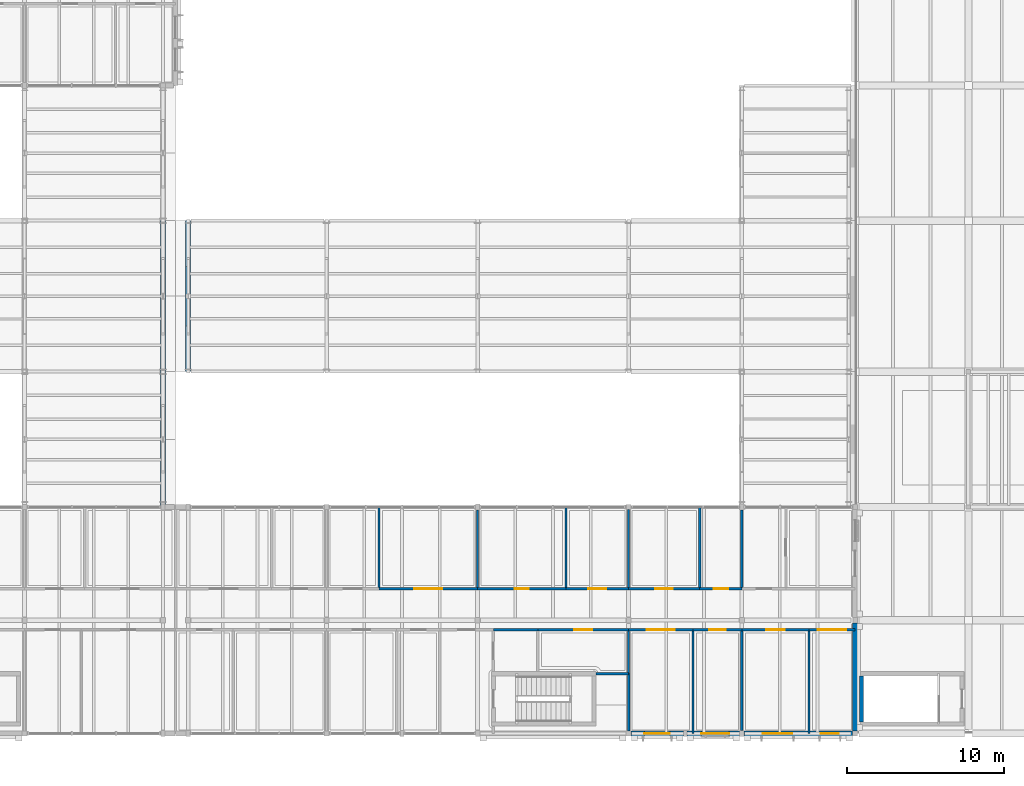
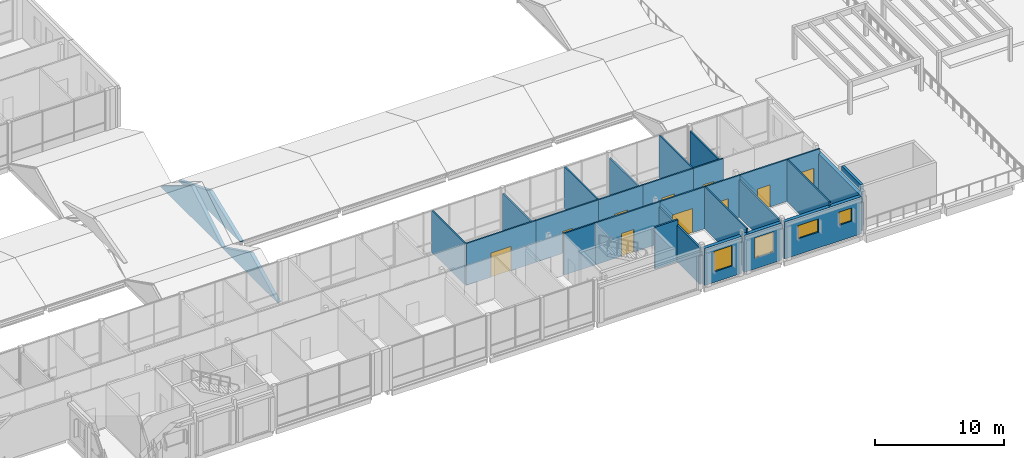
# One storey, part 90 of 115: 31 walls, 10 doors, 4 windows, 14 openings.
"""IFC4 building model written with IfcOpenShell, lengths in metres."""

import ifcopenshell
import ifcopenshell.guid

model = None  # the IFC model being written
_history = None  # IfcOwnerHistory: only IFC2X3 demands one
_inside = {}  # id of a spatial element -> (the spatial element, [elements in it])
_under = {}  # id of a project, library or spatial element -> (it, [spatial elements below it])
_declared = {}  # id of a project -> (the project, [libraries it declares])
_typed = {}  # id of a type object -> (the type object, [elements of that type])
_made_of = {}  # id of a material, layer set ... -> (it, [elements and type objects made of it])


def new_model(schema):
    """Start an empty IFC model of exactly this schema.

    Asked for "IFC4X3", IfcOpenShell would pick the latest addendum, in which some entities
    have other attributes; the version numbers below select the first issue.
    IFC2X3 requires an IfcOwnerHistory on every rooted entity: one is made here for all.
    """
    global model, _history
    if schema == "IFC4X3":
        model = ifcopenshell.file(schema_version=(4, 3, 0, 0))
    else:
        model = ifcopenshell.file(schema=schema)
    _inside.clear()
    _under.clear()
    _declared.clear()
    _typed.clear()
    _made_of.clear()
    _history = None
    if model.schema == "IFC2X3":
        org = make("IfcOrganization", Name="unknown")
        user = make(
            "IfcPersonAndOrganization",
            ThePerson=make("IfcPerson", FamilyName="unknown"),
            TheOrganization=org,
        )
        app = make(
            "IfcApplication",
            ApplicationDeveloper=org,
            Version="unknown",
            ApplicationFullName="unknown",
            ApplicationIdentifier="unknown",
        )
        _history = make(
            "IfcOwnerHistory",
            OwningUser=user,
            OwningApplication=app,
            ChangeAction="ADDED",
            CreationDate=0,
        )
    return model


def make(cls, **values):
    """One entity of the class cls with the attributes given. An attribute that is None is left unset."""
    return model.create_entity(
        cls, **{name: value for name, value in values.items() if value is not None}
    )


def rooted(cls, **values):
    """An entity with a GlobalId (a new one), such as an element, a storey or a relation."""
    return make(cls, GlobalId=ifcopenshell.guid.new(), OwnerHistory=_history, **values)


def si_unit(unit_type, name, prefix=None):
    """IfcSIUnit, for example si_unit("LENGTHUNIT", "METRE", prefix="MILLI")."""
    return make("IfcSIUnit", UnitType=unit_type, Prefix=prefix, Name=name)


def assignment(units):
    """IfcUnitAssignment: the units of a project."""
    return None if units is None else make("IfcUnitAssignment", Units=units)


def point(xyz):
    """IfcCartesianPoint."""
    return None if xyz is None else make("IfcCartesianPoint", Coordinates=xyz)


def direction(xyz):
    """IfcDirection."""
    return None if xyz is None else make("IfcDirection", DirectionRatios=xyz)


def frame(location, z_axis=None, x_axis=None):
    """IfcAxis2Placement3D, a coordinate frame: its origin and axes. An axis left out is left unset."""
    return make(
        "IfcAxis2Placement3D",
        Location=point(location),
        Axis=direction(z_axis),
        RefDirection=direction(x_axis),
    )


def frame_2d(location, x_axis=None):
    """IfcAxis2Placement2D, a coordinate frame in the plane: its origin and x axis."""
    return make(
        "IfcAxis2Placement2D", Location=point(location), RefDirection=direction(x_axis)
    )


def origin():
    """The frame at (0, 0, 0) with its axes left unset."""
    return frame((0.0, 0.0, 0.0))


def place(relative_to, where):
    """IfcLocalPlacement: puts the frame where relative to a parent placement (None: the world)."""
    return make(
        "IfcLocalPlacement", PlacementRelTo=relative_to, RelativePlacement=where
    )


def context(
    kind, dimensions, precision=None, world=None, true_north=None, identifier=None
):
    """IfcGeometricRepresentationContext, for example the 3D "Model" context."""
    return make(
        "IfcGeometricRepresentationContext",
        ContextIdentifier=identifier,
        ContextType=kind,
        CoordinateSpaceDimension=dimensions,
        Precision=precision,
        WorldCoordinateSystem=world,
        TrueNorth=true_north,
    )


def subcontext(parent, identifier, kind, view, scale=None):
    """IfcGeometricRepresentationSubContext, for example "Body" below "Model"."""
    return make(
        "IfcGeometricRepresentationSubContext",
        ContextIdentifier=identifier,
        ContextType=kind,
        ParentContext=parent,
        TargetScale=scale,
        TargetView=view,
    )


def project(units=None, contexts=None):
    """IfcProject with its units and contexts."""
    return rooted(
        "IfcProject",
        Name="project",
        RepresentationContexts=contexts,
        UnitsInContext=assignment(units),
    )


def spatial(cls, under=None, at=None, **own):
    """A site, building, storey or space (cls), placed at a placement, below another one or the project."""
    s = rooted(cls, ObjectPlacement=at, **own)
    if under is not None:
        _under.setdefault(under.id(), (under, []))[1].append(s)
    return s


def polyline(points):
    """IfcPolyline through the points."""
    return make("IfcPolyline", Points=[point(p) for p in points])


def profile(cls, at=None, kind="AREA", **sizes):
    """A parametric profile (cls). Its sizes go by their IFC names, for example OverallWidth=200.0."""
    return make(cls, ProfileType=kind, Position=at, **sizes)


def rectangle(**sizes):
    """IfcRectangleProfileDef."""
    return profile("IfcRectangleProfileDef", **sizes)


def outline(outer, holes=None, kind="AREA"):
    """IfcArbitraryClosedProfileDef: a profile drawn as a closed curve; with holes, ...WithVoids."""
    if holes is None:
        return make("IfcArbitraryClosedProfileDef", ProfileType=kind, OuterCurve=outer)
    return make(
        "IfcArbitraryProfileDefWithVoids",
        ProfileType=kind,
        OuterCurve=outer,
        InnerCurves=holes,
    )


def extrude(swept, where, along, depth):
    """IfcExtrudedAreaSolid: the profile swept, set in the frame where, extruded along a direction by depth."""
    return make(
        "IfcExtrudedAreaSolid",
        SweptArea=swept,
        Position=where,
        ExtrudedDirection=direction(along),
        Depth=depth,
    )


def shape(context_of_items, identifier, shape_type, items):
    """IfcShapeRepresentation: the items that make up one representation, for example the "Body"."""
    return make(
        "IfcShapeRepresentation",
        ContextOfItems=context_of_items,
        RepresentationIdentifier=identifier,
        RepresentationType=shape_type,
        Items=items,
    )


def material(Name=None, Category=None):
    """IfcMaterial."""
    return make("IfcMaterial", Name=Name, Category=Category)


def layer(
    of_material, thickness, ventilated=None, Name=None, Category=None, Priority=None
):
    """IfcMaterialLayer: one layer of a wall or slab, of a material (None: an air gap)."""
    return make(
        "IfcMaterialLayer",
        Material=of_material,
        LayerThickness=thickness,
        IsVentilated=ventilated,
        Name=Name,
        Category=Category,
        Priority=Priority,
    )


def layer_set(layers, Name=None):
    """IfcMaterialLayerSet."""
    return make("IfcMaterialLayerSet", MaterialLayers=layers, LayerSetName=Name)


def made_of(thing, what):
    """Note that an element or type object is made of a material, layer set ...; save() writes the relation."""
    if what is not None:
        _made_of.setdefault(what.id(), (what, []))[1].append(thing)
    return thing


def type_object(cls, material=None, **own):
    """A type object (cls), such as IfcWallType, which elements share."""
    return made_of(rooted(cls, **own), material)


def element(
    cls,
    number,
    at=None,
    inside=None,
    cuts=None,
    type_object=None,
    material=None,
    context=None,
    identifier="Body",
    shape_type=None,
    held_by="IfcProductDefinitionShape",
    body=None,
    shapes=None,
    **own,
):
    """One element of the class cls, such as IfcWall. Its Tag is "e" and its number.

    at: its placement. inside: the storey or other place that contains it. cuts: it is an
    opening in that element (IfcRelVoidsElement). A single representation is given by context,
    identifier, shape_type and body (its items); several are given by shapes. held_by: the class
    of the entity that holds the representations. save() writes the other relations.
    """
    e = rooted(cls, Tag="e%d" % number, ObjectPlacement=at, **own)
    if body is not None:
        shapes = [shape(context, identifier, shape_type, body)]
    if shapes is not None:
        e.Representation = make(held_by, Representations=shapes)
    if inside is not None:
        _inside.setdefault(inside.id(), (inside, []))[1].append(e)
    if cuts is not None:
        rooted(
            "IfcRelVoidsElement", RelatingBuildingElement=cuts, RelatedOpeningElement=e
        )
    if type_object is not None:
        _typed.setdefault(type_object.id(), (type_object, []))[1].append(e)
    return made_of(e, material)


def fill(opening, filler):
    """IfcRelFillsElement: the door or window that sits in an opening."""
    return rooted(
        "IfcRelFillsElement",
        RelatingOpeningElement=opening,
        RelatedBuildingElement=filler,
    )


def aggregate(whole, parts):
    """IfcRelAggregates: a whole, such as a stair, and the parts it consists of."""
    return rooted("IfcRelAggregates", RelatingObject=whole, RelatedObjects=parts)


def save(model, path):
    """Write the relations noted so far, then the file.

    IfcRelAggregates (storeys below a building ...), IfcRelContainedInSpatialStructure (elements
    in a storey), IfcRelDefinesByType, IfcRelAssociatesMaterial and IfcRelDeclares: one each for
    every whole, place, type object, material and project.
    """
    for whole, parts in _under.values():
        aggregate(whole, parts)
    for where, things in _inside.values():
        rooted(
            "IfcRelContainedInSpatialStructure",
            RelatedElements=things,
            RelatingStructure=where,
        )
    for kind, things in _typed.values():
        rooted("IfcRelDefinesByType", RelatedObjects=things, RelatingType=kind)
    for what, things in _made_of.values():
        rooted("IfcRelAssociatesMaterial", RelatedObjects=things, RelatingMaterial=what)
    for by, libraries in _declared.values():
        rooted("IfcRelDeclares", RelatingContext=by, RelatedDefinitions=libraries)
    model.write(path)


model = new_model("IFC4")

# Units and contexts
model_context = context("Model", 3, precision=1e-05, world=origin(), true_north=direction((0.0, 1.0)))
body_context = subcontext(model_context, "Body", "Model", "MODEL_VIEW")
ifc_project = project(units=[si_unit("LENGTHUNIT", "METRE"), si_unit("AREAUNIT", "SQUARE_METRE"), si_unit("VOLUMEUNIT", "CUBIC_METRE"), si_unit("PLANEANGLEUNIT", "RADIAN"), si_unit("MASSUNIT", "GRAM", prefix="KILO")], contexts=[model_context])

# Site, building, storey
site_placement = place(None, origin())
site = spatial("IfcSite", under=ifc_project, at=site_placement, CompositionType="ELEMENT")
building_placement = place(site_placement, origin())
building = spatial("IfcBuilding", under=site, at=building_placement, Name="Hawrajan Terrace Health Centre", CompositionType="ELEMENT")
storey_placement = place(building_placement, frame((0.0, 0.0, 9.0)))
storey = spatial("IfcBuildingStorey", under=building, at=storey_placement, Name="L02", CompositionType="ELEMENT", Elevation=9.0)

# Wall, opening, window
ifc_material_1 = material(Name="Precast concrete C40/50", Category="concrete")
ifc_layer_1 = layer(ifc_material_1, 0.31005859375)
ifc_layer_set_1 = layer_set([ifc_layer_1], Name="Precast concrete C40/50")
wall_type_1 = type_object("IfcWallType", Name="ArtDecoFacadeWall_310", PredefinedType="SOLIDWALL", material=ifc_layer_set_1)
wall_1_placement = place(storey_placement, frame((100.760009765625, 4.199951171875, 0.0), z_axis=(0.0, 0.0, 1.0), x_axis=(1.0, 0.0, 0.0)))
wall_1 = element("IfcWall", 1, at=wall_1_placement, inside=storey, type_object=wall_type_1, Name="Exterior wall EW-L02-H12-00-1", PredefinedType="SOLIDWALL", context=body_context, shape_type="SweptSolid", body=[
    extrude(rectangle(XDim=3.320068359375, YDim=0.31005859375, at=frame_2d((1.66015625, 0.0))), origin(), (0.0, 0.0, 1.0), 3.52001953125),
])
opening_1_placement = place(wall_1_placement, frame((0.85009765625, 0.0, 1.0)))
opening_1 = element("IfcOpeningElement", 2, at=opening_1_placement, cuts=wall_1, Name="Opening W-L02-155", PredefinedType="OPENING", context=body_context, shape_type="SweptSolid", body=[
    extrude(rectangle(XDim=1.6201171875, YDim=1.949951171875, at=frame_2d((0.81005859375, 0.97509765625))), frame((0.0, 0.1650390625, 0.0), z_axis=(0.0, -1.0, 0.0), x_axis=(1.0, 0.0, 0.0)), (0.0, 0.0, 1.0), 0.330078125),
])
ifc_material_2 = material(Name="Anodized bronze frame with double low-E glazing", Category="glass")
window_type_1 = type_object("IfcWindowType", Name="FacadeWindow_1620x1950", PartitioningType="DOUBLE_PANEL_VERTICAL", PredefinedType="WINDOW", material=ifc_material_2)
window_1_placement = place(opening_1_placement, origin())
window_1 = element("IfcWindow", 3, at=window_1_placement, inside=storey, type_object=window_type_1, Name="Window W-L02-155", OverallHeight=1.949951171875, OverallWidth=1.6201171875, PartitioningType="DOUBLE_PANEL_VERTICAL", PredefinedType="WINDOW", context=body_context, shape_type="SweptSolid", body=[
    extrude(rectangle(XDim=1.6201171875, YDim=1.949951171875, at=frame_2d((0.81005859375, 0.97509765625))), frame((0.0, 0.030029296875, 0.0), z_axis=(0.0, -1.0, 0.0), x_axis=(1.0, 0.0, 0.0)), (0.0, 0.0, 1.0), 0.06005859375),
])
fill(opening_1, window_1)

wall_2_placement = place(storey_placement, frame((104.320068359375, 4.199951171875, 0.0), z_axis=(0.0, 0.0, 1.0), x_axis=(1.0, 0.0, 0.0)))
wall_2 = element("IfcWall", 4, at=wall_2_placement, inside=storey, type_object=wall_type_1, Name="Exterior wall EW-L02-H12-00-2", PredefinedType="SOLIDWALL", context=body_context, shape_type="SweptSolid", body=[
    extrude(rectangle(XDim=3.33984375, YDim=0.31005859375, at=frame_2d((1.669921875, 0.0))), origin(), (0.0, 0.0, 1.0), 3.52001953125),
])
opening_2_placement = place(wall_2_placement, frame((0.914794921875, 0.0, 1.0)))
opening_2 = element("IfcOpeningElement", 5, at=opening_2_placement, cuts=wall_2, Name="Opening W-L02-156", PredefinedType="OPENING", context=body_context, shape_type="SweptSolid", body=[
    extrude(rectangle(XDim=1.760009765625, YDim=1.949951171875, at=frame_2d((0.8798828125, 0.97509765625))), frame((0.0, 0.1650390625, 0.0), z_axis=(0.0, -1.0, 0.0), x_axis=(1.0, 0.0, 0.0)), (0.0, 0.0, 1.0), 0.330078125),
])
window_type_2 = type_object("IfcWindowType", Name="FacadeWindow_1760x1950", PartitioningType="DOUBLE_PANEL_VERTICAL", PredefinedType="WINDOW", material=ifc_material_2)
window_2_placement = place(opening_2_placement, origin())
window_2 = element("IfcWindow", 6, at=window_2_placement, inside=storey, type_object=window_type_2, Name="Window W-L02-156", OverallHeight=1.949951171875, OverallWidth=1.760009765625, PartitioningType="DOUBLE_PANEL_VERTICAL", PredefinedType="WINDOW", context=body_context, shape_type="SweptSolid", body=[
    extrude(rectangle(XDim=1.760009765625, YDim=1.949951171875, at=frame_2d((0.8798828125, 0.97509765625))), frame((0.0, 0.030029296875, 0.0), z_axis=(0.0, -1.0, 0.0), x_axis=(1.0, 0.0, 0.0)), (0.0, 0.0, 1.0), 0.06005859375),
])
fill(opening_2, window_2)

# Wall, openings, windows
wall_3_placement = place(storey_placement, frame((107.93994140625, 4.199951171875, 0.0), z_axis=(0.0, 0.0, 1.0), x_axis=(1.0, 0.0, 0.0)))
wall_3 = element("IfcWall", 7, at=wall_3_placement, inside=storey, type_object=wall_type_1, Name="Exterior wall EW-L02-H13-00-1", PredefinedType="SOLIDWALL", context=body_context, shape_type="SweptSolid", body=[
    extrude(rectangle(XDim=6.900146484375, YDim=0.31005859375, at=frame_2d((3.4501953125, 0.0))), origin(), (0.0, 0.0, 1.0), 3.52001953125),
])
opening_3_placement = place(wall_3_placement, frame((1.19970703125, 0.0, 1.5)))
opening_3 = element("IfcOpeningElement", 8, at=opening_3_placement, cuts=wall_3, Name="Opening W-L02-157", PredefinedType="OPENING", context=body_context, shape_type="SweptSolid", body=[
    extrude(rectangle(XDim=1.85009765625, YDim=1.25, at=frame_2d((0.925048828125, 0.625))), frame((0.0, 0.1650390625, 0.0), z_axis=(0.0, -1.0, 0.0), x_axis=(1.0, 0.0, 0.0)), (0.0, 0.0, 1.0), 0.330078125),
])
opening_4_placement = place(wall_3_placement, frame((4.8798828125, 0.0, 1.5)))
opening_4 = element("IfcOpeningElement", 9, at=opening_4_placement, cuts=wall_3, Name="Opening W-L02-158", PredefinedType="OPENING", context=body_context, shape_type="SweptSolid", body=[
    extrude(rectangle(XDim=1.14990234375, YDim=1.25, at=frame_2d((0.574951171875, 0.625))), frame((0.0, 0.1650390625, 0.0), z_axis=(0.0, -1.0, 0.0), x_axis=(1.0, 0.0, 0.0)), (0.0, 0.0, 1.0), 0.330078125),
])
window_type_3 = type_object("IfcWindowType", Name="FacadeWindow_1150x1250", PartitioningType="SINGLE_PANEL", PredefinedType="WINDOW", material=ifc_material_2)
window_3_placement = place(opening_4_placement, origin())
window_3 = element("IfcWindow", 10, at=window_3_placement, inside=storey, type_object=window_type_3, Name="Window W-L02-158", OverallHeight=1.25, OverallWidth=1.14990234375, PartitioningType="SINGLE_PANEL", PredefinedType="WINDOW", context=body_context, shape_type="SweptSolid", body=[
    extrude(rectangle(XDim=1.14990234375, YDim=1.25, at=frame_2d((0.574951171875, 0.625))), frame((0.0, 0.030029296875, 0.0), z_axis=(0.0, -1.0, 0.0), x_axis=(1.0, 0.0, 0.0)), (0.0, 0.0, 1.0), 0.06005859375),
])
fill(opening_4, window_3)
window_type_4 = type_object("IfcWindowType", Name="FacadeWindow_1850x1250", PartitioningType="DOUBLE_PANEL_VERTICAL", PredefinedType="WINDOW", material=ifc_material_2)
window_4_placement = place(opening_3_placement, origin())
window_4 = element("IfcWindow", 11, at=window_4_placement, inside=storey, type_object=window_type_4, Name="Window W-L02-157", OverallHeight=1.25, OverallWidth=1.85009765625, PartitioningType="DOUBLE_PANEL_VERTICAL", PredefinedType="WINDOW", context=body_context, shape_type="SweptSolid", body=[
    extrude(rectangle(XDim=1.85009765625, YDim=1.25, at=frame_2d((0.925048828125, 0.625))), frame((0.0, 0.030029296875, 0.0), z_axis=(0.0, -1.0, 0.0), x_axis=(1.0, 0.0, 0.0)), (0.0, 0.0, 1.0), 0.06005859375),
])
fill(opening_3, window_4)

# Walls
wall_4_placement = place(storey_placement, frame((115.0, 4.360107421875, 0.0), z_axis=(0.0, 0.0, 1.0), x_axis=(0.0, 1.0, 0.0)))
element("IfcWall", 12, at=wall_4_placement, inside=storey, type_object=wall_type_1, Name="Exterior wall EW-L02-V14-00-1", PredefinedType="SOLIDWALL", context=body_context, shape_type="SweptSolid", body=[
    extrude(rectangle(XDim=6.85986328125, YDim=0.31005859375, at=frame_2d((3.429931640625, 0.0))), origin(), (0.0, 0.0, 1.0), 3.52001953125),
])
wall_5_placement = place(storey_placement, frame((71.0, 18.60009765625, 0.0), z_axis=(0.0, 0.0, 1.0), x_axis=(0.0, 1.0, 0.0)))
element("IfcWall", 13, at=wall_5_placement, inside=storey, type_object=wall_type_1, Name="Glulam roof gable tympanum TYM-V1-E09-S", PredefinedType="SOLIDWALL", context=body_context, shape_type="SweptSolid", body=[
    extrude(outline(polyline([(0.0, 0.0), (8.599853515625, 0.0), (8.60009765625, 0.050048828125), (4.300048828125, 2.159912109375), (0.0, 0.050048828125), (0.0, 0.0)])), frame((0.0, 0.155029296875, 0.0), z_axis=(0.0, -1.0, 0.0), x_axis=(1.0, 0.0, 0.0)), (0.0, 0.0, 1.0), 0.31005859375),
])
wall_6_placement = place(storey_placement, frame((71.0, 27.199951171875, 0.0), z_axis=(0.0, 0.0, 1.0), x_axis=(0.0, 1.0, 0.0)))
element("IfcWall", 14, at=wall_6_placement, inside=storey, type_object=wall_type_1, Name="Glulam roof gable tympanum TYM-V1-E09-M", PredefinedType="SOLIDWALL", context=body_context, shape_type="SweptSolid", body=[
    extrude(outline(polyline([(0.0, 0.0), (9.60009765625, 0.0), (9.60009765625, 0.050048828125), (4.800048828125, 2.9599609375), (0.0, 0.050048828125), (0.0, 0.0)])), frame((0.0, 0.155029296875, 0.0), z_axis=(0.0, -1.0, 0.0), x_axis=(1.0, 0.0, 0.0)), (0.0, 0.0, 1.0), 0.31005859375),
])
wall_7_placement = place(storey_placement, frame((72.60009765625, 27.199951171875, 0.0), z_axis=(0.0, 0.0, 1.0), x_axis=(0.0, 1.0, 0.0)))
element("IfcWall", 15, at=wall_7_placement, inside=storey, type_object=wall_type_1, Name="Glulam roof gable tympanum TYM-V1-W10-M", PredefinedType="SOLIDWALL", context=body_context, shape_type="SweptSolid", body=[
    extrude(outline(polyline([(0.0, 0.0), (9.60009765625, 0.0), (9.60009765625, 0.050048828125), (4.800048828125, 1.9599609375), (0.0, 0.050048828125), (0.0, 0.0)])), frame((0.0, 0.155029296875, 0.0), z_axis=(0.0, -1.0, 0.0), x_axis=(1.0, 0.0, 0.0)), (0.0, 0.0, 1.0), 0.31005859375),
])
ifc_material_3 = material(Name="Gypsum board on acoustic stud framing")
ifc_layer_2 = layer(ifc_material_3, 0.139892578125)
ifc_layer_set_2 = layer_set([ifc_layer_2], Name="Gypsum board on acoustic stud framing")
wall_type_2 = type_object("IfcWallType", Name="ClinicalAcousticWall_140", PredefinedType="PARTITIONING", material=ifc_layer_set_2)
wall_8_placement = place(storey_placement, frame((84.73095703125, 13.469970703125, 0.0), z_axis=(0.0, 0.0, 1.0), x_axis=(0.0, 1.0, 0.0)))
element("IfcWall", 16, at=wall_8_placement, inside=storey, type_object=wall_type_2, Name="Interior wall IW-L02-1133", PredefinedType="PARTITIONING", context=body_context, shape_type="SweptSolid", body=[
    extrude(rectangle(XDim=5.130126953125, YDim=0.139892578125, at=frame_2d((2.56494140625, 0.0))), origin(), (0.0, 0.0, 1.0), 3.9599609375),
])

# Wall, opening, door
wall_9_placement = place(storey_placement, frame((84.73095703125, 13.39990234375, 0.0), z_axis=(0.0, 0.0, 1.0), x_axis=(1.0, 0.0, 0.0)))
wall_9 = element("IfcWall", 17, at=wall_9_placement, inside=storey, type_object=wall_type_2, Name="Interior wall IW-L02-1134", PredefinedType="PARTITIONING", context=body_context, shape_type="SweptSolid", body=[
    extrude(rectangle(XDim=6.26904296875, YDim=0.139892578125, at=frame_2d((3.134521484375, 0.0))), origin(), (0.0, 0.0, 1.0), 3.9599609375),
])
opening_5_placement = place(wall_9_placement, frame((2.234619140625, 0.0, 0.0)))
opening_5 = element("IfcOpeningElement", 18, at=opening_5_placement, cuts=wall_9, Name="Opening D-L02-518", PredefinedType="OPENING", context=body_context, shape_type="SweptSolid", body=[
    extrude(rectangle(XDim=1.800048828125, YDim=2.300048828125, at=frame_2d((0.89990234375, 1.14990234375))), frame((0.0, 0.079833984375, 0.0), z_axis=(0.0, -1.0, 0.0), x_axis=(1.0, 0.0, 0.0)), (0.0, 0.0, 1.0), 0.159912109375),
])
ifc_material_4 = material(Name="Hardwood acoustic clinical door leaf and frame", Category="wood")
door_type_1 = type_object("IfcDoorType", Name="EducationHallDoor_1800x2300", OperationType="DOUBLE_DOOR_SINGLE_SWING", PredefinedType="DOOR", material=ifc_material_4)
door_1_placement = place(opening_5_placement, origin())
door_1 = element("IfcDoor", 19, at=door_1_placement, inside=storey, type_object=door_type_1, Name="Interior door D-L02-518", OperationType="DOUBLE_DOOR_SINGLE_SWING", OverallHeight=2.300048828125, OverallWidth=1.800048828125, PredefinedType="DOOR", context=body_context, shape_type="SweptSolid", body=[
    extrude(rectangle(XDim=1.800048828125, YDim=2.300048828125, at=frame_2d((0.89990234375, 1.14990234375))), frame((0.0, 0.02490234375, 0.0), z_axis=(0.0, -1.0, 0.0), x_axis=(1.0, 0.0, 0.0)), (0.0, 0.0, 1.0), 0.050048828125),
])
fill(opening_5, door_1)

# Wall
wall_10_placement = place(storey_placement, frame((91.0, 13.469970703125, 0.0), z_axis=(0.0, 0.0, 1.0), x_axis=(0.0, 1.0, 0.0)))
element("IfcWall", 20, at=wall_10_placement, inside=storey, type_object=wall_type_2, Name="Interior wall IW-L02-1139", PredefinedType="PARTITIONING", context=body_context, shape_type="SweptSolid", body=[
    extrude(rectangle(XDim=4.949951171875, YDim=0.139892578125, at=frame_2d((2.47509765625, 0.0))), origin(), (0.0, 0.0, 1.0), 3.469970703125),
])

# Wall, opening, door
wall_11_placement = place(storey_placement, frame((91.0, 13.39990234375, 0.0), z_axis=(0.0, 0.0, 1.0), x_axis=(1.0, 0.0, 0.0)))
wall_11 = element("IfcWall", 21, at=wall_11_placement, inside=storey, type_object=wall_type_2, Name="Interior wall IW-L02-1140", PredefinedType="PARTITIONING", context=body_context, shape_type="SweptSolid", body=[
    extrude(rectangle(XDim=5.615966796875, YDim=0.139892578125, at=frame_2d((2.80810546875, 0.0))), origin(), (0.0, 0.0, 1.0), 3.9599609375),
])
opening_6_placement = place(wall_11_placement, frame((2.347900390625, 0.0, 0.0)))
opening_6 = element("IfcOpeningElement", 22, at=opening_6_placement, cuts=wall_11, Name="Opening D-L02-521", PredefinedType="OPENING", context=body_context, shape_type="SweptSolid", body=[
    extrude(rectangle(XDim=0.919921875, YDim=2.10009765625, at=frame_2d((0.4599609375, 1.050048828125))), frame((0.0, 0.079833984375, 0.0), z_axis=(0.0, -1.0, 0.0), x_axis=(1.0, 0.0, 0.0)), (0.0, 0.0, 1.0), 0.159912109375),
])
door_type_2 = type_object("IfcDoorType", Name="StaffOfficeDoor_920x2100", OperationType="NOTDEFINED", PredefinedType="DOOR", material=ifc_material_4)
door_2_placement = place(opening_6_placement, origin())
door_2 = element("IfcDoor", 23, at=door_2_placement, inside=storey, type_object=door_type_2, Name="Interior door D-L02-521", OperationType="SINGLE_SWING_LEFT", OverallHeight=2.10009765625, OverallWidth=0.919921875, PredefinedType="DOOR", context=body_context, shape_type="SweptSolid", body=[
    extrude(rectangle(XDim=0.919921875, YDim=2.10009765625, at=frame_2d((0.4599609375, 1.050048828125))), frame((0.0, 0.02490234375, 0.0), z_axis=(0.0, -1.0, 0.0), x_axis=(1.0, 0.0, 0.0)), (0.0, 0.0, 1.0), 0.050048828125),
])
fill(opening_6, door_2)

# Wall
wall_12_placement = place(storey_placement, frame((92.0, 10.800048828125, 0.0), z_axis=(0.0, 0.0, 1.0), x_axis=(1.0, 0.0, 0.0)))
element("IfcWall", 24, at=wall_12_placement, inside=storey, type_object=wall_type_2, Name="Interior wall IW-L02-1142", PredefinedType="PARTITIONING", context=body_context, shape_type="SweptSolid", body=[
    extrude(rectangle(XDim=2.8291015625, YDim=0.139892578125, at=frame_2d((1.41455078125, 0.0))), origin(), (0.0, 0.0, 1.0), 3.9599609375),
])

# Wall, opening, door
wall_13_placement = place(storey_placement, frame((94.8291015625, 10.800048828125, 0.0), z_axis=(0.0, 0.0, 1.0), x_axis=(1.0, 0.0, 0.0)))
wall_13 = element("IfcWall", 25, at=wall_13_placement, inside=storey, type_object=wall_type_2, Name="Interior wall IW-L02-1144", PredefinedType="PARTITIONING", context=body_context, shape_type="SweptSolid", body=[
    extrude(rectangle(XDim=5.77099609375, YDim=0.139892578125, at=frame_2d((2.885498046875, 0.0))), origin(), (0.0, 0.0, 1.0), 3.9599609375),
])
opening_7_placement = place(wall_13_placement, frame((2.325439453125, 0.0, 0.0)))
opening_7 = element("IfcOpeningElement", 26, at=opening_7_placement, cuts=wall_13, Name="Opening D-L02-520", PredefinedType="OPENING", context=body_context, shape_type="SweptSolid", body=[
    extrude(rectangle(XDim=1.1201171875, YDim=2.14990234375, at=frame_2d((0.56005859375, 1.074951171875))), frame((0.0, 0.079833984375, 0.0), z_axis=(0.0, -1.0, 0.0), x_axis=(1.0, 0.0, 0.0)), (0.0, 0.0, 1.0), 0.159912109375),
])
door_type_3 = type_object("IfcDoorType", Name="DentalSurgeryDoor_1120x2150", OperationType="NOTDEFINED", PredefinedType="DOOR", material=ifc_material_4)
door_3_placement = place(opening_7_placement, origin())
door_3 = element("IfcDoor", 27, at=door_3_placement, inside=storey, type_object=door_type_3, Name="Interior door D-L02-520", OperationType="SINGLE_SWING_RIGHT", OverallHeight=2.14990234375, OverallWidth=1.1201171875, PredefinedType="DOOR", context=body_context, shape_type="SweptSolid", body=[
    extrude(rectangle(XDim=1.1201171875, YDim=2.14990234375, at=frame_2d((0.56005859375, 1.074951171875))), frame((0.0, 0.02490234375, 0.0), z_axis=(0.0, -1.0, 0.0), x_axis=(1.0, 0.0, 0.0)), (0.0, 0.0, 1.0), 0.050048828125),
])
fill(opening_7, door_3)

# Wall
wall_14_placement = place(storey_placement, frame((96.615966796875, 13.469970703125, 0.0), z_axis=(0.0, 0.0, 1.0), x_axis=(0.0, 1.0, 0.0)))
element("IfcWall", 28, at=wall_14_placement, inside=storey, type_object=wall_type_2, Name="Interior wall IW-L02-1145", PredefinedType="PARTITIONING", context=body_context, shape_type="SweptSolid", body=[
    extrude(rectangle(XDim=5.130126953125, YDim=0.139892578125, at=frame_2d((2.56494140625, 0.0))), origin(), (0.0, 0.0, 1.0), 3.9599609375),
])

# Wall, opening, door
wall_15_placement = place(storey_placement, frame((96.615966796875, 13.39990234375, 0.0), z_axis=(0.0, 0.0, 1.0), x_axis=(1.0, 0.0, 0.0)))
wall_15 = element("IfcWall", 29, at=wall_15_placement, inside=storey, type_object=wall_type_2, Name="Interior wall IW-L02-1146", PredefinedType="PARTITIONING", context=body_context, shape_type="SweptSolid", body=[
    extrude(rectangle(XDim=3.984130859375, YDim=0.139892578125, at=frame_2d((1.9921875, 0.0))), origin(), (0.0, 0.0, 1.0), 3.9599609375),
])
opening_8_placement = place(wall_15_placement, frame((1.412109375, 0.0, 0.0)))
opening_8 = element("IfcOpeningElement", 30, at=opening_8_placement, cuts=wall_15, Name="Opening D-L02-522", PredefinedType="OPENING", context=body_context, shape_type="SweptSolid", body=[
    extrude(rectangle(XDim=1.159912109375, YDim=2.10009765625, at=frame_2d((0.580078125, 1.050048828125))), frame((0.0, 0.079833984375, 0.0), z_axis=(0.0, -1.0, 0.0), x_axis=(1.0, 0.0, 0.0)), (0.0, 0.0, 1.0), 0.159912109375),
])
door_type_4 = type_object("IfcDoorType", Name="ConsultDoor_1160x2100", OperationType="NOTDEFINED", PredefinedType="DOOR", material=ifc_material_4)
door_4_placement = place(opening_8_placement, origin())
door_4 = element("IfcDoor", 31, at=door_4_placement, inside=storey, type_object=door_type_4, Name="Interior door D-L02-522", OperationType="SINGLE_SWING_RIGHT", OverallHeight=2.10009765625, OverallWidth=1.159912109375, PredefinedType="DOOR", context=body_context, shape_type="SweptSolid", body=[
    extrude(rectangle(XDim=1.159912109375, YDim=2.10009765625, at=frame_2d((0.580078125, 1.050048828125))), frame((0.0, 0.02490234375, 0.0), z_axis=(0.0, -1.0, 0.0), x_axis=(1.0, 0.0, 0.0)), (0.0, 0.0, 1.0), 0.050048828125),
])
fill(opening_8, door_4)

# Wall
wall_16_placement = place(storey_placement, frame((100.60009765625, 8.0, 0.0), z_axis=(0.0, 0.0, 1.0), x_axis=(0.0, 1.0, 0.0)))
element("IfcWall", 32, at=wall_16_placement, inside=storey, type_object=wall_type_2, Name="Interior wall IW-L02-1147", PredefinedType="PARTITIONING", context=body_context, shape_type="SweptSolid", body=[
    extrude(rectangle(XDim=2.72998046875, YDim=0.139892578125, at=frame_2d((1.364990234375, 0.0))), origin(), (0.0, 0.0, 1.0), 3.469970703125),
])

# Wall, opening, door
wall_17_placement = place(storey_placement, frame((100.60009765625, 10.800048828125, 0.0), z_axis=(0.0, 0.0, 1.0), x_axis=(1.0, 0.0, 0.0)))
wall_17 = element("IfcWall", 33, at=wall_17_placement, inside=storey, type_object=wall_type_2, Name="Interior wall IW-L02-1148", PredefinedType="PARTITIONING", context=body_context, shape_type="SweptSolid", body=[
    extrude(rectangle(XDim=4.08984375, YDim=0.139892578125, at=frame_2d((2.044921875, 0.0))), origin(), (0.0, 0.0, 1.0), 3.9599609375),
])
opening_9_placement = place(wall_17_placement, frame((1.14501953125, 0.0, 0.0)))
opening_9 = element("IfcOpeningElement", 34, at=opening_9_placement, cuts=wall_17, Name="Opening D-L02-523", PredefinedType="OPENING", context=body_context, shape_type="SweptSolid", body=[
    extrude(rectangle(XDim=1.800048828125, YDim=2.300048828125, at=frame_2d((0.89990234375, 1.14990234375))), frame((0.0, 0.079833984375, 0.0), z_axis=(0.0, -1.0, 0.0), x_axis=(1.0, 0.0, 0.0)), (0.0, 0.0, 1.0), 0.159912109375),
])
door_5_placement = place(opening_9_placement, origin())
door_5 = element("IfcDoor", 35, at=door_5_placement, inside=storey, type_object=door_type_1, Name="Interior door D-L02-523", OperationType="DOUBLE_DOOR_SINGLE_SWING", OverallHeight=2.300048828125, OverallWidth=1.800048828125, PredefinedType="DOOR", context=body_context, shape_type="SweptSolid", body=[
    extrude(rectangle(XDim=1.800048828125, YDim=2.300048828125, at=frame_2d((0.89990234375, 1.14990234375))), frame((0.0, 0.02490234375, 0.0), z_axis=(0.0, -1.0, 0.0), x_axis=(1.0, 0.0, 0.0)), (0.0, 0.0, 1.0), 0.050048828125),
])
fill(opening_9, door_5)

# Wall
wall_18_placement = place(storey_placement, frame((100.60009765625, 13.469970703125, 0.0), z_axis=(0.0, 0.0, 1.0), x_axis=(0.0, 1.0, 0.0)))
element("IfcWall", 36, at=wall_18_placement, inside=storey, type_object=wall_type_2, Name="Interior wall IW-L02-1149", PredefinedType="PARTITIONING", context=body_context, shape_type="SweptSolid", body=[
    extrude(rectangle(XDim=4.969970703125, YDim=0.139892578125, at=frame_2d((2.48486328125, 0.0))), origin(), (0.0, 0.0, 1.0), 3.469970703125),
])

# Wall, opening, door
wall_19_placement = place(storey_placement, frame((100.60009765625, 13.39990234375, 0.0), z_axis=(0.0, 0.0, 1.0), x_axis=(1.0, 0.0, 0.0)))
wall_19 = element("IfcWall", 37, at=wall_19_placement, inside=storey, type_object=wall_type_2, Name="Interior wall IW-L02-1150", PredefinedType="PARTITIONING", context=body_context, shape_type="SweptSolid", body=[
    extrude(rectangle(XDim=4.52197265625, YDim=0.139892578125, at=frame_2d((2.260986328125, 0.0))), origin(), (0.0, 0.0, 1.0), 3.9599609375),
])
opening_10_placement = place(wall_19_placement, frame((1.700927734375, 0.0, 0.0)))
opening_10 = element("IfcOpeningElement", 38, at=opening_10_placement, cuts=wall_19, Name="Opening D-L02-525", PredefinedType="OPENING", context=body_context, shape_type="SweptSolid", body=[
    extrude(rectangle(XDim=1.1201171875, YDim=2.14990234375, at=frame_2d((0.56005859375, 1.074951171875))), frame((0.0, 0.079833984375, 0.0), z_axis=(0.0, -1.0, 0.0), x_axis=(1.0, 0.0, 0.0)), (0.0, 0.0, 1.0), 0.159912109375),
])
door_6_placement = place(opening_10_placement, origin())
door_6 = element("IfcDoor", 39, at=door_6_placement, inside=storey, type_object=door_type_3, Name="Interior door D-L02-525", OperationType="SINGLE_SWING_LEFT", OverallHeight=2.14990234375, OverallWidth=1.1201171875, PredefinedType="DOOR", context=body_context, shape_type="SweptSolid", body=[
    extrude(rectangle(XDim=1.1201171875, YDim=2.14990234375, at=frame_2d((0.56005859375, 1.074951171875))), frame((0.0, 0.02490234375, 0.0), z_axis=(0.0, -1.0, 0.0), x_axis=(1.0, 0.0, 0.0)), (0.0, 0.0, 1.0), 0.050048828125),
])
fill(opening_10, door_6)

# Wall
wall_20_placement = place(storey_placement, frame((104.68994140625, 4.199951171875, 0.0), z_axis=(0.0, 0.0, 1.0), x_axis=(0.0, 1.0, 0.0)))
element("IfcWall", 40, at=wall_20_placement, inside=storey, type_object=wall_type_2, Name="Interior wall IW-L02-1151", PredefinedType="PARTITIONING", context=body_context, shape_type="SweptSolid", body=[
    extrude(rectangle(XDim=6.530029296875, YDim=0.139892578125, at=frame_2d((3.26513671875, 0.0))), origin(), (0.0, 0.0, 1.0), 3.9599609375),
])

# Wall, opening, door
wall_21_placement = place(storey_placement, frame((104.68994140625, 10.800048828125, 0.0), z_axis=(0.0, 0.0, 1.0), x_axis=(1.0, 0.0, 0.0)))
wall_21 = element("IfcWall", 41, at=wall_21_placement, inside=storey, type_object=wall_type_2, Name="Interior wall IW-L02-1152", PredefinedType="PARTITIONING", context=body_context, shape_type="SweptSolid", body=[
    extrude(rectangle(XDim=3.110107421875, YDim=0.139892578125, at=frame_2d((1.55517578125, 0.0))), origin(), (0.0, 0.0, 1.0), 3.9599609375),
])
opening_11_placement = place(wall_21_placement, frame((1.034912109375, 0.0, 0.0)))
opening_11 = element("IfcOpeningElement", 42, at=opening_11_placement, cuts=wall_21, Name="Opening D-L02-524", PredefinedType="OPENING", context=body_context, shape_type="SweptSolid", body=[
    extrude(rectangle(XDim=1.0400390625, YDim=2.10009765625, at=frame_2d((0.52001953125, 1.050048828125))), frame((0.0, 0.079833984375, 0.0), z_axis=(0.0, -1.0, 0.0), x_axis=(1.0, 0.0, 0.0)), (0.0, 0.0, 1.0), 0.159912109375),
])
door_type_5 = type_object("IfcDoorType", Name="ConsultDoor_1040x2100", OperationType="NOTDEFINED", PredefinedType="DOOR", material=ifc_material_4)
door_7_placement = place(opening_11_placement, origin())
door_7 = element("IfcDoor", 43, at=door_7_placement, inside=storey, type_object=door_type_5, Name="Interior door D-L02-524", OperationType="SINGLE_SWING_RIGHT", OverallHeight=2.10009765625, OverallWidth=1.0400390625, PredefinedType="DOOR", context=body_context, shape_type="SweptSolid", body=[
    extrude(rectangle(XDim=1.0400390625, YDim=2.10009765625, at=frame_2d((0.52001953125, 1.050048828125))), frame((0.0, 0.02490234375, 0.0), z_axis=(0.0, -1.0, 0.0), x_axis=(1.0, 0.0, 0.0)), (0.0, 0.0, 1.0), 0.050048828125),
])
fill(opening_11, door_7)

# Wall
wall_22_placement = place(storey_placement, frame((105.1220703125, 13.469970703125, 0.0), z_axis=(0.0, 0.0, 1.0), x_axis=(0.0, 1.0, 0.0)))
element("IfcWall", 44, at=wall_22_placement, inside=storey, type_object=wall_type_2, Name="Interior wall IW-L02-1153", PredefinedType="PARTITIONING", context=body_context, shape_type="SweptSolid", body=[
    extrude(rectangle(XDim=5.130126953125, YDim=0.139892578125, at=frame_2d((2.56494140625, 0.0))), origin(), (0.0, 0.0, 1.0), 3.9599609375),
])

# Wall, opening, door
wall_23_placement = place(storey_placement, frame((105.1220703125, 13.39990234375, 0.0), z_axis=(0.0, 0.0, 1.0), x_axis=(1.0, 0.0, 0.0)))
wall_23 = element("IfcWall", 45, at=wall_23_placement, inside=storey, type_object=wall_type_2, Name="Interior wall IW-L02-1154", PredefinedType="PARTITIONING", context=body_context, shape_type="SweptSolid", body=[
    extrude(rectangle(XDim=2.677978515625, YDim=0.139892578125, at=frame_2d((1.3388671875, 0.0))), origin(), (0.0, 0.0, 1.0), 3.9599609375),
])
opening_12_placement = place(wall_23_placement, frame((0.87890625, 0.0, 0.0)))
opening_12 = element("IfcOpeningElement", 46, at=opening_12_placement, cuts=wall_23, Name="Opening D-L02-526", PredefinedType="OPENING", context=body_context, shape_type="SweptSolid", body=[
    extrude(rectangle(XDim=0.919921875, YDim=2.10009765625, at=frame_2d((0.4599609375, 1.050048828125))), frame((0.0, 0.079833984375, 0.0), z_axis=(0.0, -1.0, 0.0), x_axis=(1.0, 0.0, 0.0)), (0.0, 0.0, 1.0), 0.159912109375),
])
door_8_placement = place(opening_12_placement, origin())
door_8 = element("IfcDoor", 47, at=door_8_placement, inside=storey, type_object=door_type_2, Name="Interior door D-L02-526", OperationType="SINGLE_SWING_RIGHT", OverallHeight=2.10009765625, OverallWidth=0.919921875, PredefinedType="DOOR", context=body_context, shape_type="SweptSolid", body=[
    extrude(rectangle(XDim=0.919921875, YDim=2.10009765625, at=frame_2d((0.4599609375, 1.050048828125))), frame((0.0, 0.02490234375, 0.0), z_axis=(0.0, -1.0, 0.0), x_axis=(1.0, 0.0, 0.0)), (0.0, 0.0, 1.0), 0.050048828125),
])
fill(opening_12, door_8)

# Wall
wall_24_placement = place(storey_placement, frame((107.800048828125, 4.3798828125, 0.0), z_axis=(0.0, 0.0, 1.0), x_axis=(0.0, 1.0, 0.0)))
element("IfcWall", 48, at=wall_24_placement, inside=storey, type_object=wall_type_2, Name="Interior wall IW-L02-1155", PredefinedType="PARTITIONING", context=body_context, shape_type="SweptSolid", body=[
    extrude(rectangle(XDim=6.35009765625, YDim=0.139892578125, at=frame_2d((3.175048828125, 0.0))), origin(), (0.0, 0.0, 1.0), 3.52001953125),
])

# Wall, opening, door
wall_25_placement = place(storey_placement, frame((107.800048828125, 10.800048828125, 0.0), z_axis=(0.0, 0.0, 1.0), x_axis=(1.0, 0.0, 0.0)))
wall_25 = element("IfcWall", 49, at=wall_25_placement, inside=storey, type_object=wall_type_2, Name="Interior wall IW-L02-1156", PredefinedType="PARTITIONING", context=body_context, shape_type="SweptSolid", body=[
    extrude(rectangle(XDim=4.27001953125, YDim=0.139892578125, at=frame_2d((2.135009765625, 0.0))), origin(), (0.0, 0.0, 1.0), 3.9599609375),
])
opening_13_placement = place(wall_25_placement, frame((1.554931640625, 0.0, 0.0)))
opening_13 = element("IfcOpeningElement", 50, at=opening_13_placement, cuts=wall_25, Name="Opening D-L02-527", PredefinedType="OPENING", context=body_context, shape_type="SweptSolid", body=[
    extrude(rectangle(XDim=1.159912109375, YDim=2.10009765625, at=frame_2d((0.580078125, 1.050048828125))), frame((0.0, 0.079833984375, 0.0), z_axis=(0.0, -1.0, 0.0), x_axis=(1.0, 0.0, 0.0)), (0.0, 0.0, 1.0), 0.159912109375),
])
door_9_placement = place(opening_13_placement, origin())
door_9 = element("IfcDoor", 51, at=door_9_placement, inside=storey, type_object=door_type_4, Name="Interior door D-L02-527", OperationType="SINGLE_SWING_LEFT", OverallHeight=2.10009765625, OverallWidth=1.159912109375, PredefinedType="DOOR", context=body_context, shape_type="SweptSolid", body=[
    extrude(rectangle(XDim=1.159912109375, YDim=2.10009765625, at=frame_2d((0.580078125, 1.050048828125))), frame((0.0, 0.02490234375, 0.0), z_axis=(0.0, -1.0, 0.0), x_axis=(1.0, 0.0, 0.0)), (0.0, 0.0, 1.0), 0.050048828125),
])
fill(opening_13, door_9)

# Walls
wall_26_placement = place(storey_placement, frame((107.800048828125, 13.469970703125, 0.0), z_axis=(0.0, 0.0, 1.0), x_axis=(0.0, 1.0, 0.0)))
element("IfcWall", 52, at=wall_26_placement, inside=storey, type_object=wall_type_2, Name="Interior wall IW-L02-1157", PredefinedType="PARTITIONING", context=body_context, shape_type="SweptSolid", body=[
    extrude(rectangle(XDim=4.949951171875, YDim=0.139892578125, at=frame_2d((2.47509765625, 0.0))), origin(), (0.0, 0.0, 1.0), 3.52001953125),
])
wall_27_placement = place(storey_placement, frame((112.070068359375, 4.199951171875, 0.0), z_axis=(0.0, 0.0, 1.0), x_axis=(0.0, 1.0, 0.0)))
element("IfcWall", 53, at=wall_27_placement, inside=storey, type_object=wall_type_2, Name="Interior wall IW-L02-1161", PredefinedType="PARTITIONING", context=body_context, shape_type="SweptSolid", body=[
    extrude(rectangle(XDim=6.530029296875, YDim=0.139892578125, at=frame_2d((3.26513671875, 0.0))), origin(), (0.0, 0.0, 1.0), 3.9599609375),
])

# Wall, opening, door
wall_28_placement = place(storey_placement, frame((112.070068359375, 10.800048828125, 0.0), z_axis=(0.0, 0.0, 1.0), x_axis=(1.0, 0.0, 0.0)))
wall_28 = element("IfcWall", 54, at=wall_28_placement, inside=storey, type_object=wall_type_2, Name="Interior wall IW-L02-1162", PredefinedType="PARTITIONING", context=body_context, shape_type="SweptSolid", body=[
    extrude(rectangle(XDim=2.929931640625, YDim=0.139892578125, at=frame_2d((1.46484375, 0.0))), origin(), (0.0, 0.0, 1.0), 3.9599609375),
])
opening_14_placement = place(wall_28_placement, frame((0.56494140625, 0.0, 0.0)))
opening_14 = element("IfcOpeningElement", 55, at=opening_14_placement, cuts=wall_28, Name="Opening D-L02-528", PredefinedType="OPENING", context=body_context, shape_type="SweptSolid", body=[
    extrude(rectangle(XDim=1.800048828125, YDim=2.300048828125, at=frame_2d((0.89990234375, 1.14990234375))), frame((0.0, 0.079833984375, 0.0), z_axis=(0.0, -1.0, 0.0), x_axis=(1.0, 0.0, 0.0)), (0.0, 0.0, 1.0), 0.159912109375),
])
door_10_placement = place(opening_14_placement, origin())
door_10 = element("IfcDoor", 56, at=door_10_placement, inside=storey, type_object=door_type_1, Name="Interior door D-L02-528", OperationType="DOUBLE_DOOR_SINGLE_SWING", OverallHeight=2.300048828125, OverallWidth=1.800048828125, PredefinedType="DOOR", context=body_context, shape_type="SweptSolid", body=[
    extrude(rectangle(XDim=1.800048828125, YDim=2.300048828125, at=frame_2d((0.89990234375, 1.14990234375))), frame((0.0, 0.02490234375, 0.0), z_axis=(0.0, -1.0, 0.0), x_axis=(1.0, 0.0, 0.0)), (0.0, 0.0, 1.0), 0.050048828125),
])
fill(opening_14, door_10)

# Walls
ifc_material_5 = material(Name="Concrete C40/50", Category="concrete")
ifc_layer_3 = layer(ifc_material_5, 0.260009765625)
ifc_layer_set_3 = layer_set([ifc_layer_3], Name="Concrete C40/50")
wall_type_3 = type_object("IfcWallType", Name="CoreShearWall_RC260", PredefinedType="SHEAR", material=ifc_layer_set_3)
wall_29_placement = place(storey_placement, frame((115.39990234375, 4.929931640625, 0.0), z_axis=(0.0, 0.0, 1.0), x_axis=(0.0, 1.0, 0.0)))
element("IfcWall", 57, at=wall_29_placement, inside=storey, type_object=wall_type_3, Name="Core shear wall SW-S6-L02-W", PredefinedType="SHEAR", context=body_context, shape_type="SweptSolid", body=[
    extrude(rectangle(XDim=2.940185546875, YDim=0.260009765625, at=frame_2d((1.47021484375, 0.0))), origin(), (0.0, 0.0, 1.0), 3.949951171875),
])
ifc_layer_4 = layer(ifc_material_3, 0.159912109375)
ifc_layer_set_4 = layer_set([ifc_layer_4], Name="Gypsum board on acoustic stud framing")
wall_type_4 = type_object("IfcWallType", Name="CorridorFireWall_160", PredefinedType="PARTITIONING", material=ifc_layer_set_4)
wall_30_placement = place(storey_placement, frame((98.5400390625, 8.0, 0.0), z_axis=(0.0, 0.0, 1.0), x_axis=(1.0, 0.0, 0.0)))
element("IfcWall", 58, at=wall_30_placement, inside=storey, type_object=wall_type_4, Name="Interior wall IW-L02-1260", PredefinedType="PARTITIONING", context=body_context, shape_type="SweptSolid", body=[
    extrude(rectangle(XDim=2.06005859375, YDim=0.159912109375, at=frame_2d((1.030029296875, 0.0))), origin(), (0.0, 0.0, 1.0), 3.9599609375),
])
wall_31_placement = place(storey_placement, frame((100.60009765625, 4.360107421875, 0.0), z_axis=(0.0, 0.0, 1.0), x_axis=(0.0, 1.0, 0.0)))
element("IfcWall", 59, at=wall_31_placement, inside=storey, type_object=wall_type_4, Name="Interior wall IW-L02-1261", PredefinedType="PARTITIONING", context=body_context, shape_type="SweptSolid", body=[
    extrude(rectangle(XDim=3.639892578125, YDim=0.159912109375, at=frame_2d((1.81982421875, 0.0))), origin(), (0.0, 0.0, 1.0), 3.469970703125),
])

save(model, "model.ifc")
